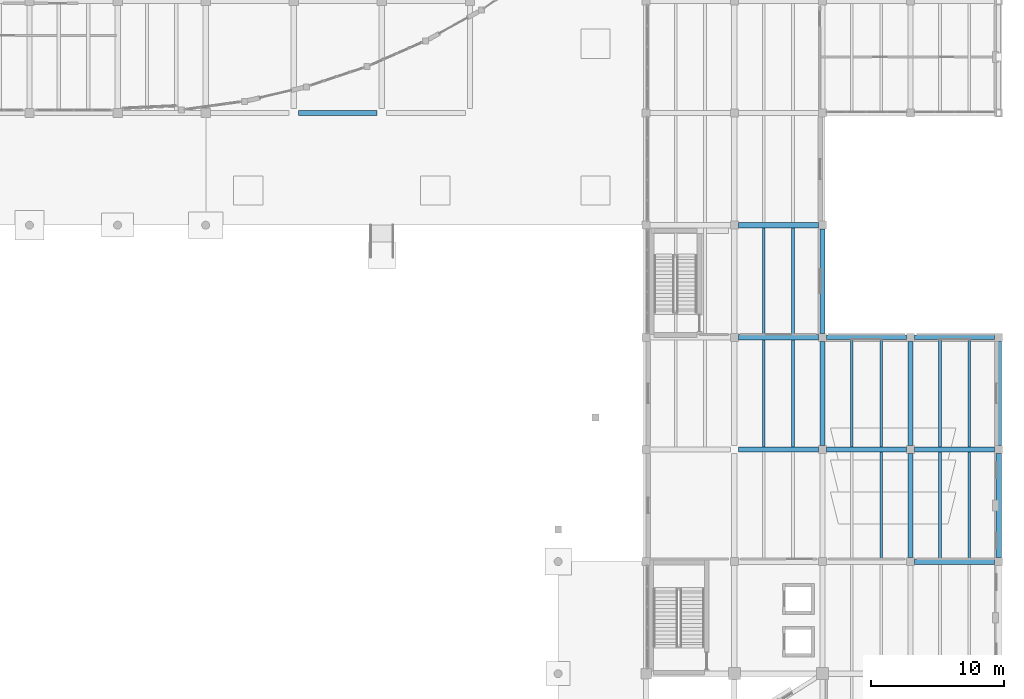
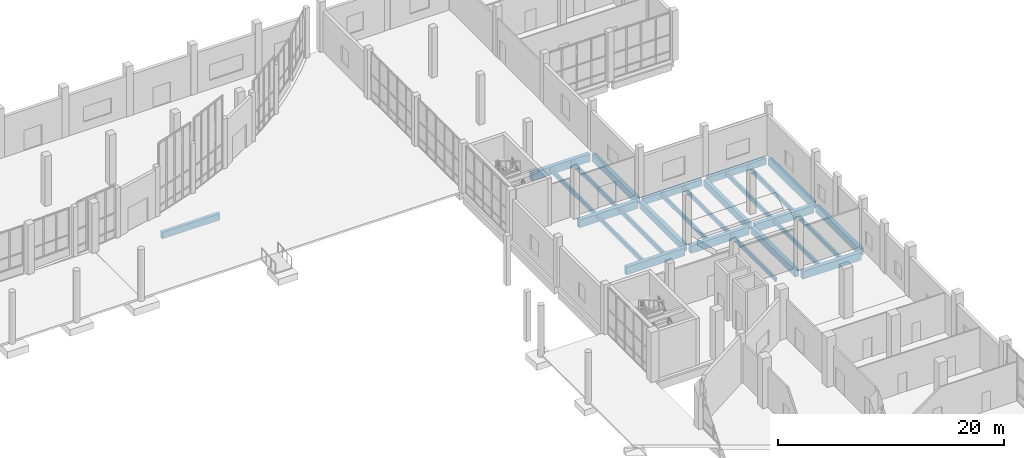
# One storey, part 22 of 64: 26 beams.
"""IFC4 building model written with IfcOpenShell, lengths in metres."""

from ifc_helpers import new_model, si_unit, direction, frame, origin, origin_2d, place, context, subcontext, project, spatial, rectangle, extrude, material, material_profile, profile_set, type_object, element, save


model = new_model("IFC4")

# Units and contexts
model_context = context("Model", 3, precision=1e-05, world=origin(), true_north=direction((0.0, 1.0)))
body_context = subcontext(model_context, "Body", "Model", "MODEL_VIEW")
ifc_project = project(units=[si_unit("LENGTHUNIT", "METRE"), si_unit("AREAUNIT", "SQUARE_METRE"), si_unit("VOLUMEUNIT", "CUBIC_METRE"), si_unit("PLANEANGLEUNIT", "RADIAN"), si_unit("MASSUNIT", "GRAM", prefix="KILO")], contexts=[model_context])

# Site, building, storey
site_placement = place(None, origin())
site = spatial("IfcSite", under=ifc_project, at=site_placement, CompositionType="ELEMENT")
building_placement = place(site_placement, origin())
building = spatial("IfcBuilding", under=site, at=building_placement, Name="Qaldarim Faculty of Natural and Applied Sciences", CompositionType="ELEMENT")
storey_placement = place(building_placement, origin())
storey = spatial("IfcBuildingStorey", under=building, at=storey_placement, Name="L00", CompositionType="ELEMENT", Elevation=0.0)

# Beams
ifc_material_1 = material(Name="Concrete C50/60", Category="concrete")
ifc_material_profile_1 = material_profile(ifc_material_1, rectangle(XDim=0.39990234375, YDim=0.75, at=origin_2d()), Name="RC-B400x750")
ifc_profile_set_1 = profile_set([ifc_material_profile_1], Name="Concrete C50/60")
beam_type_1 = type_object("IfcBeamType", Name="LabGirder-RC400x750", PredefinedType="BEAM", material=ifc_profile_set_1)
for number, where, z_axis, x_axis, name in (
    (1, (165.0, 75.89990234375, -0.735107421875), (0.0, 1.0, 0.0), (-1.0, 0.0, 0.0), "Beam RC-B400x750 B01 X26/Y10-Y11"),
    (2, (165.0, 84.300048828125, -0.735107421875), (0.0, 1.0, 0.0), (-1.0, 0.0, 0.0), "Beam RC-B400x750 B01 X26/Y11-Y12"),
    (3, (171.60009765625, 67.5, -0.735107421875), (0.0, 1.0, 0.0), (-1.0, 0.0, 0.0), "Beam RC-B400x750 B01 X27/Y09-Y10"),
    (4, (171.60009765625, 75.89990234375, -0.735107421875), (0.0, 1.0, 0.0), (-1.0, 0.0, 0.0), "Beam RC-B400x750 B01 X27/Y10-Y11"),
    (5, (178.199951171875, 67.5, -0.735107421875), (0.0, 1.0, 0.0), (-1.0, 0.0, 0.0), "Beam RC-B400x750 B01 X28/Y09-Y10"),
    (6, (178.199951171875, 75.89990234375, -0.735107421875), (0.0, 1.0, 0.0), (-1.0, 0.0, 0.0), "Beam RC-B400x750 B01 X28/Y10-Y11"),
):
    element("IfcBeam", number, at=place(storey_placement, frame(where, z_axis=z_axis, x_axis=x_axis)), inside=storey, type_object=beam_type_1, Name=name, PredefinedType="BEAM", context=body_context, shape_type="SweptSolid", body=[
        extrude(rectangle(XDim=0.39990234375, YDim=0.75, at=origin_2d()), origin(), (0.0, 0.0, 1.0), 7.800048828125),
    ])
ifc_material_2 = material(Name="Concrete C40/50", Category="concrete")
ifc_material_profile_2 = material_profile(ifc_material_2, rectangle(XDim=0.199951171875, YDim=0.449951171875, at=origin_2d()), Name="RC-J200x450")
ifc_profile_set_2 = profile_set([ifc_material_profile_2], Name="Concrete C40/50")
beam_type_2 = type_object("IfcBeamType", Name="LabJoist-RC200x450", PredefinedType="JOIST", material=ifc_profile_set_2)
for number, where, z_axis, x_axis, name in (
    (7, (160.60009765625, 75.800048828125, -0.5849609375), (0.0, 1.0, 0.0), (-1.0, 0.0, 0.0), "Laboratory joist B01 bay X25Y10-1"),
    (8, (162.800048828125, 75.800048828125, -0.5849609375), (0.0, 1.0, 0.0), (-1.0, 0.0, 0.0), "Laboratory joist B01 bay X25Y10-2"),
    (9, (160.60009765625, 84.199951171875, -0.5849609375), (0.0, 1.0, 0.0), (-1.0, 0.0, 0.0), "Laboratory joist B01 bay X25Y11-1"),
    (10, (162.800048828125, 84.199951171875, -0.5849609375), (0.0, 1.0, 0.0), (-1.0, 0.0, 0.0), "Laboratory joist B01 bay X25Y11-2"),
    (11, (169.39990234375, 67.39990234375, -0.5849609375), (0.0, 1.0, 0.0), (-1.0, 0.0, 0.0), "Laboratory joist B01 bay X26Y09-2"),
):
    element("IfcBeam", number, at=place(storey_placement, frame(where, z_axis=z_axis, x_axis=x_axis)), inside=storey, type_object=beam_type_2, Name=name, PredefinedType="JOIST", context=body_context, shape_type="SweptSolid", body=[
        extrude(rectangle(XDim=0.199951171875, YDim=0.449951171875, at=origin_2d()), origin(), (0.0, 0.0, 1.0), 8.0),
    ])
for number, where, z_axis, x_axis, name in (
    (12, (167.199951171875, 75.800048828125, -0.5849609375), (0.0, 1.0, 0.0), (-1.0, 0.0, 0.0), "Laboratory joist B01 bay X26Y10-1"),
    (13, (169.39990234375, 75.800048828125, -0.5849609375), (0.0, 1.0, 0.0), (-1.0, 0.0, 0.0), "Laboratory joist B01 bay X26Y10-2"),
):
    element("IfcBeam", number, at=place(storey_placement, frame(where, z_axis=z_axis, x_axis=x_axis)), inside=storey, type_object=beam_type_2, Name=name, PredefinedType="JOIST", context=body_context, shape_type="SweptSolid", body=[
        extrude(rectangle(XDim=0.199951171875, YDim=0.449951171875, at=origin_2d()), origin(), (0.0, 0.0, 1.0), 8.02490234375),
    ])
for number, where, z_axis, x_axis, name in (
    (14, (173.800048828125, 67.39990234375, -0.5849609375), (0.0, 1.0, 0.0), (-1.0, 0.0, 0.0), "Laboratory joist B01 bay X27Y09-1"),
    (15, (176.0, 67.39990234375, -0.5849609375), (0.0, 1.0, 0.0), (-1.0, 0.0, 0.0), "Laboratory joist B01 bay X27Y09-2"),
):
    element("IfcBeam", number, at=place(storey_placement, frame(where, z_axis=z_axis, x_axis=x_axis)), inside=storey, type_object=beam_type_2, Name=name, PredefinedType="JOIST", context=body_context, shape_type="SweptSolid", body=[
        extrude(rectangle(XDim=0.199951171875, YDim=0.449951171875, at=origin_2d()), origin(), (0.0, 0.0, 1.0), 8.0),
    ])
for number, where, z_axis, x_axis, name in (
    (16, (173.800048828125, 75.800048828125, -0.5849609375), (0.0, 1.0, 0.0), (-1.0, 0.0, 0.0), "Laboratory joist B01 bay X27Y10-1"),
    (17, (176.0, 75.800048828125, -0.5849609375), (0.0, 1.0, 0.0), (-1.0, 0.0, 0.0), "Laboratory joist B01 bay X27Y10-2"),
):
    element("IfcBeam", number, at=place(storey_placement, frame(where, z_axis=z_axis, x_axis=x_axis)), inside=storey, type_object=beam_type_2, Name=name, PredefinedType="JOIST", context=body_context, shape_type="SweptSolid", body=[
        extrude(rectangle(XDim=0.199951171875, YDim=0.449951171875, at=origin_2d()), origin(), (0.0, 0.0, 1.0), 8.02490234375),
    ])
ifc_material_profile_3 = material_profile(ifc_material_1, rectangle(XDim=0.39990234375, YDim=0.85009765625, at=origin_2d()), Name="RC-B400x850")
ifc_profile_set_3 = profile_set([ifc_material_profile_3], Name="Concrete C50/60")
beam_type_3 = type_object("IfcBeamType", Name="PodiumGirder-RC400x850", PredefinedType="BEAM", material=ifc_profile_set_3)
for number, where, z_axis, x_axis, name in (
    (18, (171.89990234375, 67.199951171875, -0.784912109375), (1.0, 0.0, 0.0), (0.0, 1.0, 0.0), "Beam RC-B400x850 B01 X27-X28/Y09"),
    (19, (158.699951171875, 75.60009765625, -0.784912109375), (1.0, 0.0, 0.0), (0.0, 1.0, 0.0), "Beam RC-B400x850 B01 X25-X26/Y10"),
    (20, (165.300048828125, 75.60009765625, -0.784912109375), (1.0, 0.0, 0.0), (0.0, 1.0, 0.0), "Beam RC-B400x850 B01 X26-X27/Y10"),
    (21, (171.89990234375, 75.60009765625, -0.784912109375), (1.0, 0.0, 0.0), (0.0, 1.0, 0.0), "Beam RC-B400x850 B01 X27-X28/Y10"),
    (22, (158.699951171875, 84.0, -0.784912109375), (1.0, 0.0, 0.0), (0.0, 1.0, 0.0), "Beam RC-B400x850 B01 X25-X26/Y11"),
    (23, (158.699951171875, 92.39990234375, -0.784912109375), (1.0, 0.0, 0.0), (0.0, 1.0, 0.0), "Beam RC-B400x850 B01 X25-X26/Y12"),
):
    element("IfcBeam", number, at=place(storey_placement, frame(where, z_axis=z_axis, x_axis=x_axis)), inside=storey, type_object=beam_type_3, Name=name, PredefinedType="BEAM", context=body_context, shape_type="SweptSolid", body=[
        extrude(rectangle(XDim=0.39990234375, YDim=0.85009765625, at=origin_2d()), origin(), (0.0, 0.0, 1.0), 6.0),
    ])
ifc_material_profile_4 = material_profile(ifc_material_2, rectangle(XDim=0.35009765625, YDim=0.699951171875, at=origin_2d()), Name="RC-B350x700")
ifc_profile_set_4 = profile_set([ifc_material_profile_4], Name="Concrete C40/50")
beam_type_4 = type_object("IfcBeamType", Name="PrimaryGirder-RC350x700", PredefinedType="BEAM", material=ifc_profile_set_4)
for number, where, z_axis, x_axis, name in (
    (24, (165.300048828125, 84.0, -0.7099609375), (1.0, 0.0, 0.0), (0.0, 1.0, 0.0), "Beam RC-B350x700 B01 X26-X27/Y11"),
    (25, (171.89990234375, 84.0, -0.7099609375), (1.0, 0.0, 0.0), (0.0, 1.0, 0.0), "Beam RC-B350x700 B01 X27-X28/Y11"),
):
    element("IfcBeam", number, at=place(storey_placement, frame(where, z_axis=z_axis, x_axis=x_axis)), inside=storey, type_object=beam_type_4, Name=name, PredefinedType="BEAM", context=body_context, shape_type="SweptSolid", body=[
        extrude(rectangle(XDim=0.35009765625, YDim=0.699951171875, at=origin_2d()), origin(), (0.0, 0.0, 1.0), 6.0),
    ])
beam_placement = place(storey_placement, frame((125.75, 100.800048828125, -0.7099609375), z_axis=(1.0, 0.0, 0.0), x_axis=(0.0, 1.0, 0.0)))
element("IfcBeam", 26, at=beam_placement, inside=storey, type_object=beam_type_4, Name="Beam RC-B350x700 B01 X20-X21/Y13", PredefinedType="BEAM", context=body_context, shape_type="SweptSolid", body=[
    extrude(rectangle(XDim=0.35009765625, YDim=0.699951171875, at=origin_2d()), origin(), (0.0, 0.0, 1.0), 5.89990234375),
])

save(model, "model.ifc")
